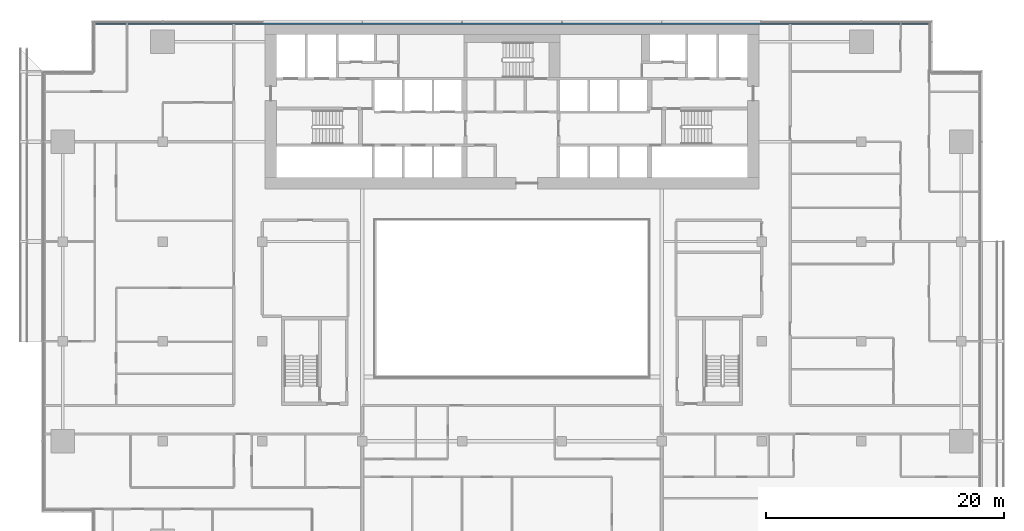
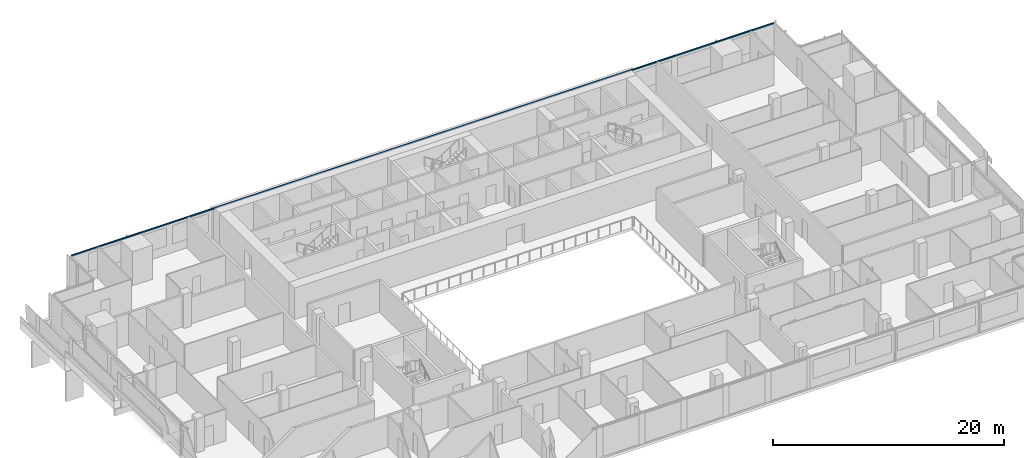
# One storey, part 8 of 25: 1 member, 1 element without a shape of its own.
"""IFC4 building model written with IfcOpenShell, lengths in metres."""

from ifc_helpers import new_model, si_unit, direction, frame, origin, origin_2d, place, context, subcontext, project, spatial, rectangle, extrude, material, material_profile, profile_set, type_object, element, aggregate, save


model = new_model("IFC4")

# Units and contexts
model_context = context("Model", 3, precision=1e-05, world=origin(), true_north=direction((0.0, 1.0)))
body_context = subcontext(model_context, "Body", "Model", "MODEL_VIEW")
ifc_project = project(units=[si_unit("LENGTHUNIT", "METRE"), si_unit("AREAUNIT", "SQUARE_METRE"), si_unit("VOLUMEUNIT", "CUBIC_METRE"), si_unit("PLANEANGLEUNIT", "RADIAN"), si_unit("MASSUNIT", "GRAM", prefix="KILO")], contexts=[model_context])

# Site, building, storey
site_placement = place(None, origin())
site = spatial("IfcSite", under=ifc_project, at=site_placement, CompositionType="ELEMENT")
building_placement = place(site_placement, origin())
building = spatial("IfcBuilding", under=site, at=building_placement, Name="Saffron Gate Tower", CompositionType="ELEMENT")
storey_placement = place(building_placement, frame((0.0, 0.0, 131.25)))
storey = spatial("IfcBuildingStorey", under=building, at=storey_placement, Name="L31", CompositionType="ELEMENT", Elevation=131.25)

# Curtain wall, member
ifc_material = material(Name="Aluminium, bronze anodised", Category="aluminium")
curtain_wall_type = type_object("IfcCurtainWallType", Name="CWS3 curtain wall rear facade", PredefinedType="NOTDEFINED", material=ifc_material)
curtain_wall_placement = place(storey_placement, origin())
curtain_wall = element("IfcCurtainWall", 1, at=curtain_wall_placement, inside=storey, type_object=curtain_wall_type, Name="CWS3 run 7", PredefinedType="NOTDEFINED")
ifc_material_profile = material_profile(ifc_material, rectangle(XDim=0.1201171875, YDim=0.1201171875, at=origin_2d()))
ifc_profile_set = profile_set([ifc_material_profile], Name="Aluminium, bronze anodised")
member_type = type_object("IfcMemberType", Name="CWS3 head transom", PredefinedType="USERDEFINED", material=ifc_profile_set)
member_placement = place(storey_placement, frame((122.632080078125, 75.35205078125, 3.260009765625), z_axis=(-1.0, 0.0, 0.0), x_axis=(0.0, -1.0, 0.0)))
member = element("IfcMember", 2, at=member_placement, type_object=member_type, Name="CWS3 head transom", ObjectType="TRANSOM", PredefinedType="USERDEFINED", context=body_context, shape_type="SweptSolid", body=[
    extrude(rectangle(XDim=0.1201171875, YDim=0.1201171875, at=origin_2d()), origin(), (0.0, 0.0, 1.0), 70.06396484375),
])
aggregate(curtain_wall, [member])

save(model, "model.ifc")
